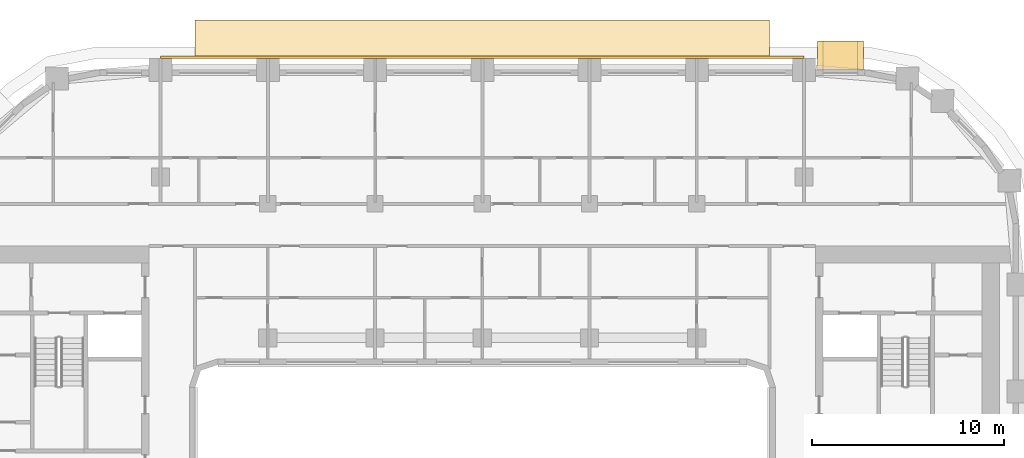
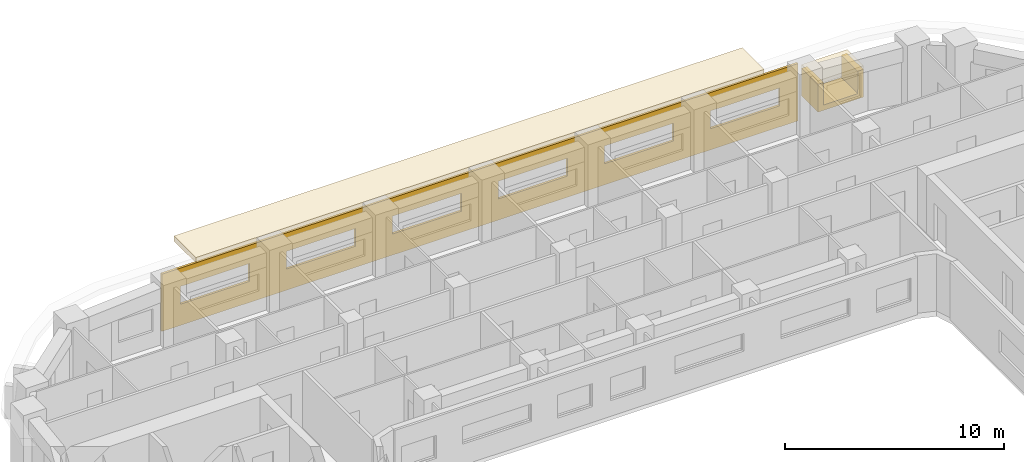
# One storey, part 20 of 21: 4 coverings.
"""IFC4 building model written with IfcOpenShell, lengths in metres."""

from ifc_helpers import new_model, si_unit, direction, frame, origin, origin_2d, place, context, subcontext, project, spatial, polyline, rectangle, outline, extrude, material, layer, layer_set, type_object, element, save


model = new_model("IFC4")

# Units and contexts
model_context = context("Model", 3, precision=1e-05, world=origin(), true_north=direction((0.0, 1.0)))
body_context = subcontext(model_context, "Body", "Model", "MODEL_VIEW")
ifc_project = project(units=[si_unit("LENGTHUNIT", "METRE"), si_unit("AREAUNIT", "SQUARE_METRE"), si_unit("VOLUMEUNIT", "CUBIC_METRE"), si_unit("PLANEANGLEUNIT", "RADIAN"), si_unit("MASSUNIT", "GRAM", prefix="KILO")], contexts=[model_context])

# Site, building, storey
site_placement = place(None, origin())
site = spatial("IfcSite", under=ifc_project, at=site_placement, CompositionType="ELEMENT")
building_placement = place(site_placement, origin())
building = spatial("IfcBuilding", under=site, at=building_placement, Name="Kiln Ring Residences", CompositionType="ELEMENT")
storey_placement = place(building_placement, frame((0.0, 0.0, 114.800048828125)))
storey = spatial("IfcBuildingStorey", under=building, at=storey_placement, Name="L29", CompositionType="ELEMENT", Elevation=114.800048828125)

# Coverings
ifc_material_1 = material(Name="Brick masonry, dark clay brick", Category="masonry")
ifc_layer_1 = layer(ifc_material_1, 0.300048828125)
ifc_layer_set_1 = layer_set([ifc_layer_1], Name="FRAME CHEEKS AND SILL 1500")
covering_type_1 = type_object("IfcCoveringType", Name="FRAME CHEEKS AND SILL 1500", PredefinedType="CLADDING", material=ifc_layer_set_1)
covering_1_placement = place(storey_placement, frame((19.89990234375, 23.14990234375, 0.599853515625), z_axis=(0.0, 0.0, 1.0), x_axis=(-1.0, 0.0, 0.0)))
element("IfcCovering", 1, at=covering_1_placement, inside=storey, type_object=covering_type_1, Name="FRAME L29", PredefinedType="CLADDING", context=body_context, shape_type="SweptSolid", body=[
    extrude(outline(polyline([(0.0, 0.0), (2.39990234375, 0.0), (2.39990234375, 1.550048828125), (2.10107421875, 1.550048828125), (2.10009765625, 0.300048828125), (0.300048828125, 0.300048828125), (0.299072265625, 1.550048828125), (0.0, 1.550048828125), (0.0, 0.0)])), frame((0.0, 0.75, 0.0), z_axis=(0.0, -1.0, 0.0), x_axis=(1.0, 0.0, 0.0)), (0.0, 0.0, 1.0), 1.5),
])
ifc_material_2 = material(Name="Brick masonry, dark clay brick", Category="masonry")
ifc_layer_2 = layer(ifc_material_2, 0.199951171875)
ifc_layer_set_2 = layer_set([ifc_layer_2], Name="FRAME HEAD 1500")
covering_type_2 = type_object("IfcCoveringType", Name="FRAME HEAD 1500", PredefinedType="CLADDING", material=ifc_layer_set_2)
covering_2_placement = place(storey_placement, frame((18.699951171875, 23.14990234375, 2.14990234375), z_axis=(0.0, 0.0, 1.0), x_axis=(-1.0, 0.0, 0.0)))
element("IfcCovering", 2, at=covering_2_placement, inside=storey, type_object=covering_type_2, Name="FRAME HEAD L29", PredefinedType="CLADDING", context=body_context, shape_type="SweptSolid", body=[
    extrude(rectangle(XDim=2.39990234375, YDim=1.5, at=origin_2d()), origin(), (0.0, 0.0, 1.0), 0.199951171875),
])
ifc_material_3 = material(Name="Brick masonry, dark clay brick", Category="masonry")
ifc_layer_3 = layer(ifc_material_3, 0.1201171875)
ifc_layer_set_3 = layer_set([ifc_layer_3], Name="RAINSCREEN PANEL 120")
covering_type_3 = type_object("IfcCoveringType", Name="RAINSCREEN PANEL 120", PredefinedType="CLADDING", material=ifc_layer_set_3)
covering_3_placement = place(storey_placement, frame((16.800048828125, 23.06005859375, 0.0), z_axis=(0.0, 0.0, 1.0), x_axis=(-1.0, 0.0, 0.0)))
element("IfcCovering", 3, at=covering_3_placement, inside=storey, type_object=covering_type_3, Name="RAINSCREEN L29", PredefinedType="CLADDING", context=body_context, shape_type="SweptSolid", body=[
    extrude(outline(polyline([(0.0, 0.0), (33.60009765625, 0.0), (33.60009765625, 3.199951171875), (0.0, 3.199951171875), (0.0, 0.0)]), holes=[polyline([(4.6201171875, 1.179931640625), (4.6201171875, 2.169921875), (0.97998046875, 2.169921875), (0.97998046875, 1.179931640625), (4.6201171875, 1.179931640625)]), polyline([(6.580078125, 1.179931640625), (10.219970703125, 1.179931640625), (10.219970703125, 2.169921875), (6.580078125, 2.169921875), (6.580078125, 1.179931640625)]), polyline([(12.179931640625, 1.179931640625), (15.820068359375, 1.179931640625), (15.820068359375, 2.169921875), (12.179931640625, 2.169921875), (12.179931640625, 1.179931640625)]), polyline([(21.419921875, 1.179931640625), (21.419921875, 2.169921875), (17.780029296875, 2.169921875), (17.780029296875, 1.179931640625), (21.419921875, 1.179931640625)]), polyline([(23.3798828125, 1.179931640625), (27.02001953125, 1.179931640625), (27.02001953125, 2.169921875), (23.3798828125, 2.169921875), (23.3798828125, 1.179931640625)]), polyline([(28.97998046875, 1.179931640625), (32.6201171875, 1.179931640625), (32.6201171875, 2.169921875), (28.97998046875, 2.169921875), (28.97998046875, 1.179931640625)])]), frame((0.0, 0.06005859375, 0.0), z_axis=(0.0, -1.0, 0.0), x_axis=(1.0, 0.0, 0.0)), (0.0, 0.0, 1.0), 0.1201171875),
])
ifc_material_4 = material(Name="Black powder-coated steel", Category="steel")
ifc_layer_4 = layer(ifc_material_4, 0.300048828125)
ifc_layer_set_4 = layer_set([ifc_layer_4], Name="SUNSHADE BAND 2000")
covering_type_4 = type_object("IfcCoveringType", Name="SUNSHADE BAND 2000", PredefinedType="CLADDING", material=ifc_layer_set_4)
covering_4_placement = place(storey_placement, frame((0.0, 0.0, 3.199951171875)))
element("IfcCovering", 4, at=covering_4_placement, inside=storey, type_object=covering_type_4, Name="SUNSHADE BAND L29", PredefinedType="CLADDING", context=body_context, shape_type="SweptSolid", body=[
    extrude(outline(polyline([(15.0, 25.0), (-15.0, 25.0), (-15.0, 23.0), (15.0, 23.0), (15.0, 25.0)])), origin(), (0.0, 0.0, 1.0), 0.300048828125),
])

save(model, "model.ifc")
